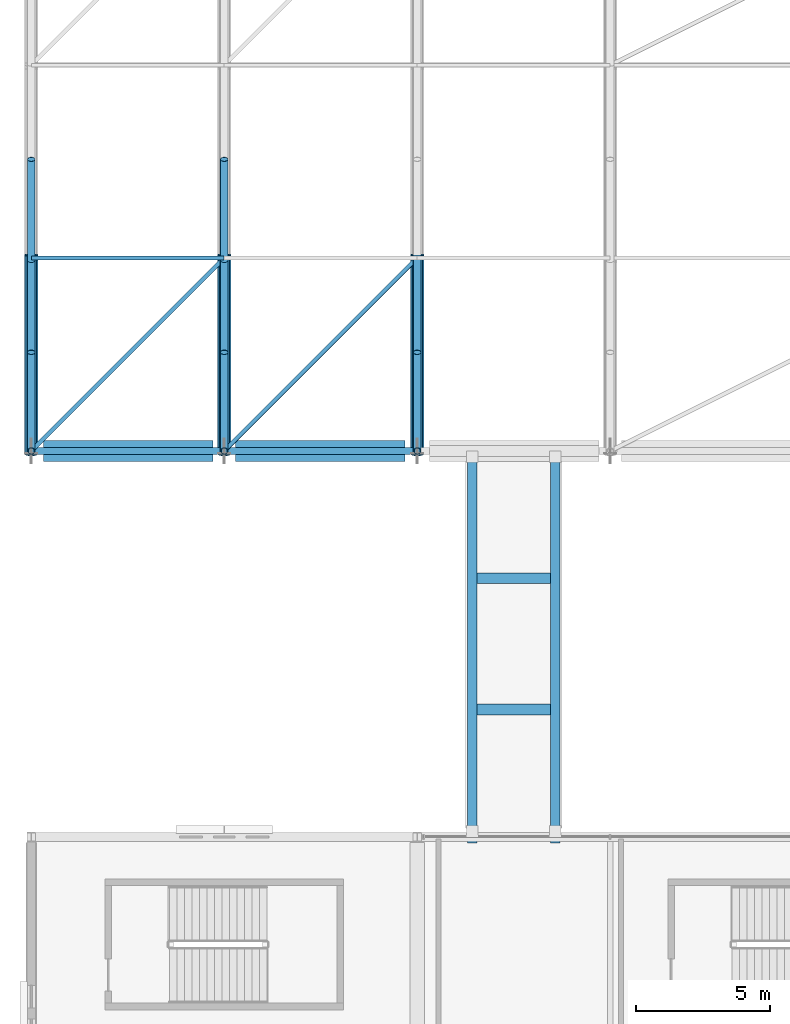
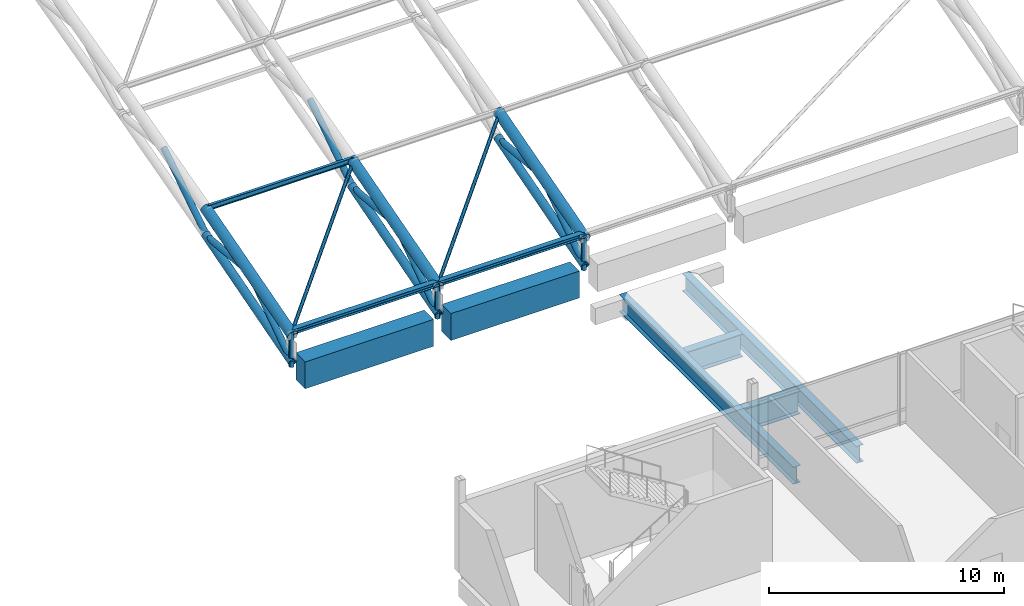
# One storey, part 24 of 193: 22 members, 6 beams.
"""IFC4 building model written with IfcOpenShell, lengths in metres."""

from ifc_helpers import new_model, si_unit, direction, frame, origin, origin_2d, place, context, subcontext, project, spatial, rectangle, hollow_circle, i_section, extrude, material, material_profile, profile_set, type_object, element, save


model = new_model("IFC4")

# Units and contexts
model_context = context("Model", 3, precision=1e-05, world=origin(), true_north=direction((0.0, 1.0)))
body_context = subcontext(model_context, "Body", "Model", "MODEL_VIEW")
ifc_project = project(units=[si_unit("LENGTHUNIT", "METRE"), si_unit("AREAUNIT", "SQUARE_METRE"), si_unit("VOLUMEUNIT", "CUBIC_METRE"), si_unit("PLANEANGLEUNIT", "RADIAN"), si_unit("MASSUNIT", "GRAM", prefix="KILO")], contexts=[model_context])

# Site, building, storey
site_placement = place(None, origin())
site = spatial("IfcSite", under=ifc_project, at=site_placement, CompositionType="ELEMENT")
building_placement = place(site_placement, origin())
building = spatial("IfcBuilding", under=site, at=building_placement, Name="Cendralis Lancet Convention Centre", CompositionType="ELEMENT")
storey_placement = place(building_placement, frame((0.0, 0.0, 10.199951171875)))
storey = spatial("IfcBuildingStorey", under=building, at=storey_placement, Name="L02", CompositionType="ELEMENT", Elevation=10.199951171875)

# Beams
ifc_material_1 = material(Name="Concrete G40 (C40/50)", Category="concrete")
ifc_material_profile_1 = material_profile(ifc_material_1, rectangle(XDim=0.800048828125, YDim=1.39990234375, at=origin_2d()), Name="RCB 800x1400")
ifc_profile_set_1 = profile_set([ifc_material_profile_1], Name="Concrete G40 (C40/50)")
beam_type_1 = type_object("IfcBeamType", Name="STR-BM-BG17", PredefinedType="BEAM", material=ifc_profile_set_1)
for number, where, z_axis, x_axis, name in (
    (1, (0.449951171875, 50.39990234375, 1.5), (1.0, 0.0, 0.0), (0.0, 1.0, 0.0), "L02 Beam BG17 #1309"),
    (2, (7.625, 50.39990234375, 1.5), (1.0, 0.0, 0.0), (0.0, 1.0, 0.0), "L02 Beam BG17 #1310"),
):
    element("IfcBeam", number, at=place(storey_placement, frame(where, z_axis=z_axis, x_axis=x_axis)), inside=storey, type_object=beam_type_1, Name=name, PredefinedType="BEAM", context=body_context, shape_type="SweptSolid", body=[
        extrude(rectangle(XDim=0.800048828125, YDim=1.39990234375, at=origin_2d()), origin(), (0.0, 0.0, 1.0), 6.324951171875),
    ])
ifc_material_2 = material(Name="Steel S355", Category="steel")
ifc_material_profile_2 = material_profile(ifc_material_2, i_section(OverallWidth=0.39990234375, OverallDepth=1.199951171875, WebThickness=0.01806640625, FlangeThickness=0.031982421875, at=origin_2d()), Name="PG 1200x400")
ifc_profile_set_2 = profile_set([ifc_material_profile_2], Name="Steel S355")
beam_type_2 = type_object("IfcBeamType", Name="STR-BM-SG03", PredefinedType="BEAM", material=ifc_profile_set_2)
for number, where, z_axis, x_axis, name in (
    (3, (16.6298828125, 40.751953125, -0.800048828125), (1.0, 0.0, 0.0), (0.0, 1.0, 0.0), "L02 Beam SG03 #1926"),
    (4, (16.6298828125, 45.64794921875, -0.800048828125), (1.0, 0.0, 0.0), (0.0, 1.0, 0.0), "L02 Beam SG03 #1927"),
):
    element("IfcBeam", number, at=place(storey_placement, frame(where, z_axis=z_axis, x_axis=x_axis)), inside=storey, type_object=beam_type_2, Name=name, PredefinedType="BEAM", context=body_context, shape_type="SweptSolid", body=[
        extrude(i_section(OverallWidth=0.39990234375, OverallDepth=1.199951171875, WebThickness=0.01806640625, FlangeThickness=0.031982421875, at=origin_2d()), origin(), (0.0, 0.0, 1.0), 2.740234375),
    ])
ifc_material_profile_3 = material_profile(ifc_material_2, i_section(OverallWidth=0.35009765625, OverallDepth=0.89990234375, WebThickness=0.01611328125, FlangeThickness=0.028076171875, at=origin_2d()), Name="PG 900x350")
ifc_profile_set_3 = profile_set([ifc_material_profile_3], Name="Steel S355")
beam_type_3 = type_object("IfcBeamType", Name="STR-BM-SG05", PredefinedType="BEAM", material=ifc_profile_set_3)
for number, where, z_axis, x_axis, name in (
    (5, (16.449951171875, 35.780029296875, -0.64990234375), (0.0, 1.0, 0.0), (-1.0, 0.0, 0.0), "L02 Beam SG05 #1924"),
    (6, (19.550048828125, 35.780029296875, -0.64990234375), (0.0, 1.0, 0.0), (-1.0, 0.0, 0.0), "L02 Beam SG05 #1925"),
):
    element("IfcBeam", number, at=place(storey_placement, frame(where, z_axis=z_axis, x_axis=x_axis)), inside=storey, type_object=beam_type_3, Name=name, PredefinedType="BEAM", context=body_context, shape_type="SweptSolid", body=[
        extrude(i_section(OverallWidth=0.35009765625, OverallDepth=0.89990234375, WebThickness=0.01611328125, FlangeThickness=0.028076171875, at=origin_2d()), origin(), (0.0, 0.0, 1.0), 14.840087890625),
    ])

# Members
ifc_material_profile_4 = material_profile(ifc_material_2, hollow_circle(Radius=0.084228515625, WallThickness=0.008056640625, at=origin_2d()), Name="CHS 168.3x8.0")
ifc_profile_set_4 = profile_set([ifc_material_profile_4], Name="Steel S355")
member_type_1 = type_object("IfcMemberType", Name="STR-BR-RB01", PredefinedType="BRACE", material=ifc_profile_set_4)
for number, where, z_axis, x_axis, name in (
    (7, (0.0, 50.39990234375, 3.60009765625), (0.69309844049, 0.693121942522, 0.197981121789), (-0.7071187694, 0.70709479277, 0.0), "Roof Diaphragm Brace RB01 V1-00-00A"),
    (8, (7.199951171875, 50.39990234375, 3.60009765625), (0.69309844049, 0.693121942522, 0.197981121789), (-0.7071187694, 0.70709479277, 0.0), "Roof Diaphragm Brace RB01 V1-01-00A"),
):
    element("IfcMember", number, at=place(storey_placement, frame(where, z_axis=z_axis, x_axis=x_axis)), inside=storey, type_object=member_type_1, Name=name, PredefinedType="BRACE", context=body_context, shape_type="SweptSolid", body=[
        extrude(hollow_circle(Radius=0.084228515625, WallThickness=0.008056640625, at=origin_2d()), origin(), (0.0, 0.0, 1.0), 10.38818359375),
    ])
ifc_material_profile_5 = material_profile(ifc_material_2, i_section(OverallWidth=0.135009765625, OverallDepth=0.27001953125, WebThickness=0.006591796875, FlangeThickness=0.01025390625, FilletRadius=0.014892578125, at=origin_2d()), Name="IPE 270")
ifc_profile_set_5 = profile_set([ifc_material_profile_5], Name="Steel S355")
member_type_2 = type_object("IfcMemberType", Name="STR-PR-PR01", PredefinedType="PURLIN", material=ifc_profile_set_5)
member_1_placement = place(storey_placement, frame((0.0, 57.60009765625, 5.771728515625), z_axis=(1.0, 0.0, 0.0), x_axis=(0.0, 1.0, 0.0)))
element("IfcMember", 9, at=member_1_placement, inside=storey, type_object=member_type_2, Name="Vault Roof Purlin PR01 V1-00-01", PredefinedType="PURLIN", context=body_context, shape_type="SweptSolid", body=[
    extrude(i_section(OverallWidth=0.135009765625, OverallDepth=0.27001953125, WebThickness=0.006591796875, FlangeThickness=0.01025390625, FilletRadius=0.014892578125, at=origin_2d()), origin(), (0.0, 0.0, 1.0), 7.199951171875),
])
ifc_material_profile_6 = material_profile(ifc_material_2, i_section(OverallWidth=0.260009765625, OverallDepth=0.25, WebThickness=0.007568359375, FlangeThickness=0.012451171875, FilletRadius=0.02392578125, at=origin_2d()), Name="HEA 260")
ifc_profile_set_6 = profile_set([ifc_material_profile_6], Name="Steel S355")
member_type_3 = type_object("IfcMemberType", Name="STR-PR-PR07", PredefinedType="PURLIN", material=ifc_profile_set_6)
for number, where, z_axis, x_axis, name in (
    (10, (0.0, 50.39990234375, 3.72509765625), (1.0, 0.0, 0.0), (0.0, 1.0, 0.0), "Vault Roof Purlin PR07 V1-00-00"),
    (11, (7.199951171875, 50.39990234375, 3.72509765625), (1.0, 0.0, 0.0), (0.0, 1.0, 0.0), "Vault Roof Purlin PR07 V1-01-00"),
):
    element("IfcMember", number, at=place(storey_placement, frame(where, z_axis=z_axis, x_axis=x_axis)), inside=storey, type_object=member_type_3, Name=name, PredefinedType="PURLIN", context=body_context, shape_type="SweptSolid", body=[
        extrude(i_section(OverallWidth=0.260009765625, OverallDepth=0.25, WebThickness=0.007568359375, FlangeThickness=0.012451171875, FilletRadius=0.02392578125, at=origin_2d()), origin(), (0.0, 0.0, 1.0), 7.199951171875),
    ])
ifc_material_profile_7 = material_profile(ifc_material_2, hollow_circle(Radius=0.203125, WallThickness=0.01611328125, at=origin_2d()), Name="CHS 406.4x16.0")
ifc_profile_set_7 = profile_set([ifc_material_profile_7], Name="Steel S355")
member_type_4 = type_object("IfcMemberType", Name="STR-TR-BC01", PredefinedType="CHORD", material=ifc_profile_set_7)
member_2_placement = place(storey_placement, frame((0.0, 50.284912109375, 2.16650390625), z_axis=(0.0, 0.960208219649, 0.279285114028), x_axis=(-1.0, 0.0, 0.0)))
element("IfcMember", 12, at=member_2_placement, inside=storey, type_object=member_type_4, Name="ROOF TRUSS AT-V1-01 Bottom Chord 00", PredefinedType="CHORD", context=body_context, shape_type="SweptSolid", body=[
    extrude(hollow_circle(Radius=0.203125, WallThickness=0.01611328125, at=origin_2d()), origin(), (0.0, 0.0, 1.0), 7.738037109375),
])
ifc_material_profile_8 = material_profile(ifc_material_2, hollow_circle(Radius=0.203125, WallThickness=0.01611328125, at=origin_2d()), Name="CHS 406.4x16.0")
ifc_profile_set_8 = profile_set([ifc_material_profile_8], Name="Steel S355")
member_type_5 = type_object("IfcMemberType", Name="STR-TR-BC01-INT", PredefinedType="CHORD", material=ifc_profile_set_8)
for number, where, z_axis, x_axis, name in (
    (13, (7.199951171875, 50.284912109375, 2.16650390625), (0.0, 0.960208219649, 0.279285114028), (-1.0, 0.0, 0.0), "ROOF TRUSS AT-V1-02 Bottom Chord 00"),
    (14, (14.39990234375, 50.284912109375, 2.16650390625), (0.0, 0.960208219649, 0.279285114028), (-1.0, 0.0, 0.0), "ROOF TRUSS AT-V1-03 Bottom Chord 00"),
):
    element("IfcMember", number, at=place(storey_placement, frame(where, z_axis=z_axis, x_axis=x_axis)), inside=storey, type_object=member_type_5, Name=name, PredefinedType="CHORD", context=body_context, shape_type="SweptSolid", body=[
        extrude(hollow_circle(Radius=0.203125, WallThickness=0.01611328125, at=origin_2d()), origin(), (0.0, 0.0, 1.0), 7.738037109375),
    ])
ifc_material_profile_9 = material_profile(ifc_material_2, hollow_circle(Radius=0.25390625, WallThickness=0.02001953125, at=origin_2d()), Name="CHS 508.0x20.0")
ifc_profile_set_9 = profile_set([ifc_material_profile_9], Name="Steel S355")
member_type_6 = type_object("IfcMemberType", Name="STR-TR-TC01", PredefinedType="CHORD", material=ifc_profile_set_9)
member_3_placement = place(storey_placement, frame((0.0, 50.28466796875, 3.567138671875), z_axis=(0.0, 0.961540636093, 0.274662711598), x_axis=(-1.0, 0.0, 0.0)))
element("IfcMember", 15, at=member_3_placement, inside=storey, type_object=member_type_6, Name="ROOF TRUSS AT-V1-01 Top Chord 00", PredefinedType="CHORD", context=body_context, shape_type="SweptSolid", body=[
    extrude(hollow_circle(Radius=0.25390625, WallThickness=0.02001953125, at=origin_2d()), origin(), (0.0, 0.0, 1.0), 7.727783203125),
])
ifc_material_profile_10 = material_profile(ifc_material_2, hollow_circle(Radius=0.25390625, WallThickness=0.02001953125, at=origin_2d()), Name="CHS 508.0x20.0")
ifc_profile_set_10 = profile_set([ifc_material_profile_10], Name="Steel S355")
member_type_7 = type_object("IfcMemberType", Name="STR-TR-TC01-INT", PredefinedType="CHORD", material=ifc_profile_set_10)
for number, where, z_axis, x_axis, name in (
    (16, (7.199951171875, 50.28466796875, 3.567138671875), (0.0, 0.961540636093, 0.274662711598), (-1.0, 0.0, 0.0), "ROOF TRUSS AT-V1-02 Top Chord 00"),
    (17, (14.39990234375, 50.28466796875, 3.567138671875), (0.0, 0.961540636093, 0.274662711598), (-1.0, 0.0, 0.0), "ROOF TRUSS AT-V1-03 Top Chord 00"),
):
    element("IfcMember", number, at=place(storey_placement, frame(where, z_axis=z_axis, x_axis=x_axis)), inside=storey, type_object=member_type_7, Name=name, PredefinedType="CHORD", context=body_context, shape_type="SweptSolid", body=[
        extrude(hollow_circle(Radius=0.25390625, WallThickness=0.02001953125, at=origin_2d()), origin(), (0.0, 0.0, 1.0), 7.727783203125),
    ])
ifc_material_profile_11 = material_profile(ifc_material_2, hollow_circle(Radius=0.149169921875, WallThickness=0.012451171875, at=origin_2d()), Name="CHS 298.5x12.5")
ifc_profile_set_11 = profile_set([ifc_material_profile_11], Name="Steel S355")
member_type_8 = type_object("IfcMemberType", Name="STR-TR-WD01", PredefinedType="BRACE", material=ifc_profile_set_11)
member_4_placement = place(storey_placement, frame((0.0, 50.317138671875, 2.14404296875), z_axis=(0.0, 0.829019978373, 0.559218987032), x_axis=(-1.0, 0.0, 0.0)))
element("IfcMember", 18, at=member_4_placement, inside=storey, type_object=member_type_8, Name="ROOF TRUSS AT-V1-01 Warren Web 00-0", PredefinedType="BRACE", context=body_context, shape_type="SweptSolid", body=[
    extrude(hollow_circle(Radius=0.149169921875, WallThickness=0.012451171875, at=origin_2d()), origin(), (0.0, 0.0, 1.0), 4.54248046875),
])
member_5_placement = place(storey_placement, frame((0.0, 53.900390625, 4.6376953125), z_axis=(0.0, 0.995716709116, -0.092456666539), x_axis=(-1.0, 0.0, 0.0)))
element("IfcMember", 19, at=member_5_placement, inside=storey, type_object=member_type_8, Name="ROOF TRUSS AT-V1-01 Warren Web 00-1", PredefinedType="BRACE", context=body_context, shape_type="SweptSolid", body=[
    extrude(hollow_circle(Radius=0.149169921875, WallThickness=0.012451171875, at=origin_2d()), origin(), (0.0, 0.0, 1.0), 3.815673828125),
])
member_6_placement = place(storey_placement, frame((0.0, 57.51611328125, 4.23974609375), z_axis=(0.0, 0.840291047389, 0.542135551018), x_axis=(-1.0, 0.0, 0.0)))
element("IfcMember", 20, at=member_6_placement, inside=storey, type_object=member_type_8, Name="ROOF TRUSS AT-V1-01 Warren Web 01-0", PredefinedType="BRACE", context=body_context, shape_type="SweptSolid", body=[
    extrude(hollow_circle(Radius=0.149169921875, WallThickness=0.012451171875, at=origin_2d()), origin(), (0.0, 0.0, 1.0), 4.48388671875),
])
ifc_material_profile_12 = material_profile(ifc_material_2, hollow_circle(Radius=0.149169921875, WallThickness=0.012451171875, at=origin_2d()), Name="CHS 298.5x12.5")
ifc_profile_set_12 = profile_set([ifc_material_profile_12], Name="Steel S355")
member_type_9 = type_object("IfcMemberType", Name="STR-TR-WD01-INT", PredefinedType="BRACE", material=ifc_profile_set_12)
member_7_placement = place(storey_placement, frame((7.199951171875, 50.317138671875, 2.14404296875), z_axis=(0.0, 0.829019978373, 0.559218987032), x_axis=(-1.0, 0.0, 0.0)))
element("IfcMember", 21, at=member_7_placement, inside=storey, type_object=member_type_9, Name="ROOF TRUSS AT-V1-02 Warren Web 00-0", PredefinedType="BRACE", context=body_context, shape_type="SweptSolid", body=[
    extrude(hollow_circle(Radius=0.149169921875, WallThickness=0.012451171875, at=origin_2d()), origin(), (0.0, 0.0, 1.0), 4.54248046875),
])
member_8_placement = place(storey_placement, frame((7.199951171875, 53.900390625, 4.6376953125), z_axis=(0.0, 0.995716709116, -0.092456666539), x_axis=(-1.0, 0.0, 0.0)))
element("IfcMember", 22, at=member_8_placement, inside=storey, type_object=member_type_9, Name="ROOF TRUSS AT-V1-02 Warren Web 00-1", PredefinedType="BRACE", context=body_context, shape_type="SweptSolid", body=[
    extrude(hollow_circle(Radius=0.149169921875, WallThickness=0.012451171875, at=origin_2d()), origin(), (0.0, 0.0, 1.0), 3.815673828125),
])
member_9_placement = place(storey_placement, frame((7.199951171875, 57.51611328125, 4.23974609375), z_axis=(0.0, 0.840291047389, 0.542135551018), x_axis=(-1.0, 0.0, 0.0)))
element("IfcMember", 23, at=member_9_placement, inside=storey, type_object=member_type_9, Name="ROOF TRUSS AT-V1-02 Warren Web 01-0", PredefinedType="BRACE", context=body_context, shape_type="SweptSolid", body=[
    extrude(hollow_circle(Radius=0.149169921875, WallThickness=0.012451171875, at=origin_2d()), origin(), (0.0, 0.0, 1.0), 4.48388671875),
])
member_10_placement = place(storey_placement, frame((14.39990234375, 50.317138671875, 2.14404296875), z_axis=(0.0, 0.829019978373, 0.559218987032), x_axis=(-1.0, 0.0, 0.0)))
element("IfcMember", 24, at=member_10_placement, inside=storey, type_object=member_type_9, Name="ROOF TRUSS AT-V1-03 Warren Web 00-0", PredefinedType="BRACE", context=body_context, shape_type="SweptSolid", body=[
    extrude(hollow_circle(Radius=0.149169921875, WallThickness=0.012451171875, at=origin_2d()), origin(), (0.0, 0.0, 1.0), 4.54248046875),
])
member_11_placement = place(storey_placement, frame((14.39990234375, 53.900390625, 4.6376953125), z_axis=(0.0, 0.995716709116, -0.092456666539), x_axis=(-1.0, 0.0, 0.0)))
element("IfcMember", 25, at=member_11_placement, inside=storey, type_object=member_type_9, Name="ROOF TRUSS AT-V1-03 Warren Web 00-1", PredefinedType="BRACE", context=body_context, shape_type="SweptSolid", body=[
    extrude(hollow_circle(Radius=0.149169921875, WallThickness=0.012451171875, at=origin_2d()), origin(), (0.0, 0.0, 1.0), 3.815673828125),
])
ifc_material_profile_13 = material_profile(ifc_material_2, hollow_circle(Radius=0.122314453125, WallThickness=0.010009765625, at=origin_2d()), Name="CHS 244.5x10.0")
ifc_profile_set_13 = profile_set([ifc_material_profile_13], Name="Steel S355")
member_type_10 = type_object("IfcMemberType", Name="STR-TR-WV01", PredefinedType="POST", material=ifc_profile_set_13)
member_12_placement = place(storey_placement, frame((0.0, 50.39990234375, 1.900146484375), z_axis=(0.0, 0.0, 1.0), x_axis=(1.0, 0.0, 0.0)))
element("IfcMember", 26, at=member_12_placement, inside=storey, type_object=member_type_10, Name="ROOF TRUSS AT-V1-01 Springing Post N00", PredefinedType="POST", context=body_context, shape_type="SweptSolid", body=[
    extrude(hollow_circle(Radius=0.122314453125, WallThickness=0.010009765625, at=origin_2d()), origin(), (0.0, 0.0, 1.0), 1.919921875),
])
ifc_material_profile_14 = material_profile(ifc_material_2, hollow_circle(Radius=0.122314453125, WallThickness=0.010009765625, at=origin_2d()), Name="CHS 244.5x10.0")
ifc_profile_set_14 = profile_set([ifc_material_profile_14], Name="Steel S355")
member_type_11 = type_object("IfcMemberType", Name="STR-TR-WV01-INT", PredefinedType="POST", material=ifc_profile_set_14)
for number, where, z_axis, x_axis, name in (
    (27, (7.199951171875, 50.39990234375, 1.900146484375), (0.0, 0.0, 1.0), (1.0, 0.0, 0.0), "ROOF TRUSS AT-V1-02 Springing Post N00"),
    (28, (14.39990234375, 50.39990234375, 1.900146484375), (0.0, 0.0, 1.0), (1.0, 0.0, 0.0), "ROOF TRUSS AT-V1-03 Springing Post N00"),
):
    element("IfcMember", number, at=place(storey_placement, frame(where, z_axis=z_axis, x_axis=x_axis)), inside=storey, type_object=member_type_11, Name=name, PredefinedType="POST", context=body_context, shape_type="SweptSolid", body=[
        extrude(hollow_circle(Radius=0.122314453125, WallThickness=0.010009765625, at=origin_2d()), origin(), (0.0, 0.0, 1.0), 1.919921875),
    ])

save(model, "model.ifc")
